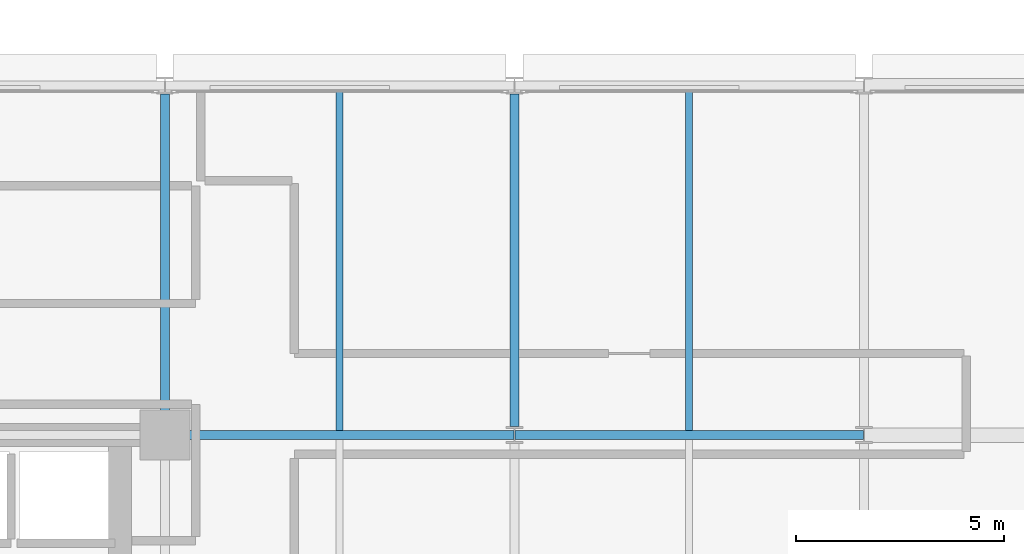
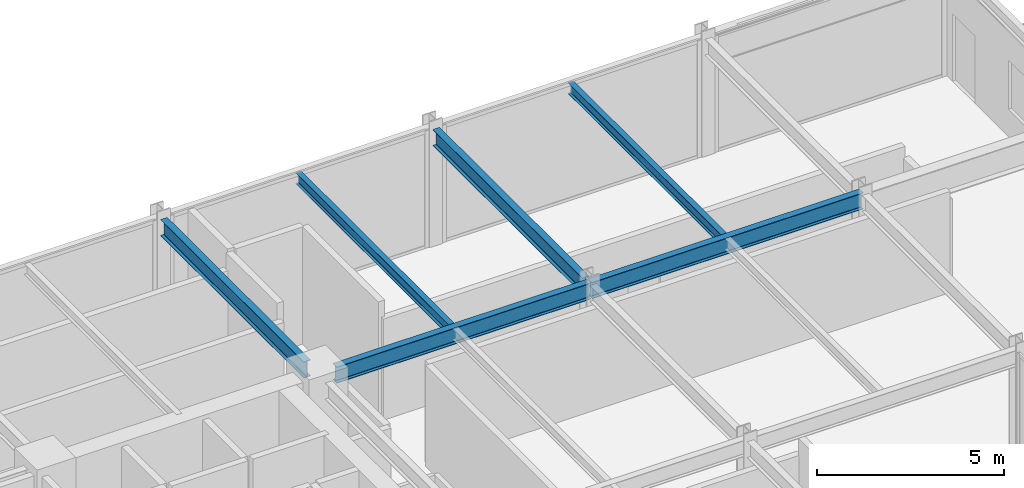
# One storey, part 19 of 39: 6 beams.
"""IFC4 building model written with IfcOpenShell, lengths in metres."""

import ifcopenshell
import ifcopenshell.guid

model = None  # the IFC model being written
_history = None  # IfcOwnerHistory: only IFC2X3 demands one
_inside = {}  # id of a spatial element -> (the spatial element, [elements in it])
_under = {}  # id of a project, library or spatial element -> (it, [spatial elements below it])
_declared = {}  # id of a project -> (the project, [libraries it declares])
_typed = {}  # id of a type object -> (the type object, [elements of that type])
_made_of = {}  # id of a material, layer set ... -> (it, [elements and type objects made of it])


def new_model(schema):
    """Start an empty IFC model of exactly this schema.

    Asked for "IFC4X3", IfcOpenShell would pick the latest addendum, in which some entities
    have other attributes; the version numbers below select the first issue.
    IFC2X3 requires an IfcOwnerHistory on every rooted entity: one is made here for all.
    """
    global model, _history
    if schema == "IFC4X3":
        model = ifcopenshell.file(schema_version=(4, 3, 0, 0))
    else:
        model = ifcopenshell.file(schema=schema)
    _inside.clear()
    _under.clear()
    _declared.clear()
    _typed.clear()
    _made_of.clear()
    _history = None
    if model.schema == "IFC2X3":
        org = make("IfcOrganization", Name="unknown")
        user = make(
            "IfcPersonAndOrganization",
            ThePerson=make("IfcPerson", FamilyName="unknown"),
            TheOrganization=org,
        )
        app = make(
            "IfcApplication",
            ApplicationDeveloper=org,
            Version="unknown",
            ApplicationFullName="unknown",
            ApplicationIdentifier="unknown",
        )
        _history = make(
            "IfcOwnerHistory",
            OwningUser=user,
            OwningApplication=app,
            ChangeAction="ADDED",
            CreationDate=0,
        )
    return model


def make(cls, **values):
    """One entity of the class cls with the attributes given. An attribute that is None is left unset."""
    return model.create_entity(
        cls, **{name: value for name, value in values.items() if value is not None}
    )


def rooted(cls, **values):
    """An entity with a GlobalId (a new one), such as an element, a storey or a relation."""
    return make(cls, GlobalId=ifcopenshell.guid.new(), OwnerHistory=_history, **values)


def si_unit(unit_type, name, prefix=None):
    """IfcSIUnit, for example si_unit("LENGTHUNIT", "METRE", prefix="MILLI")."""
    return make("IfcSIUnit", UnitType=unit_type, Prefix=prefix, Name=name)


def assignment(units):
    """IfcUnitAssignment: the units of a project."""
    return None if units is None else make("IfcUnitAssignment", Units=units)


def point(xyz):
    """IfcCartesianPoint."""
    return None if xyz is None else make("IfcCartesianPoint", Coordinates=xyz)


def direction(xyz):
    """IfcDirection."""
    return None if xyz is None else make("IfcDirection", DirectionRatios=xyz)


def frame(location, z_axis=None, x_axis=None):
    """IfcAxis2Placement3D, a coordinate frame: its origin and axes. An axis left out is left unset."""
    return make(
        "IfcAxis2Placement3D",
        Location=point(location),
        Axis=direction(z_axis),
        RefDirection=direction(x_axis),
    )


def frame_2d(location, x_axis=None):
    """IfcAxis2Placement2D, a coordinate frame in the plane: its origin and x axis."""
    return make(
        "IfcAxis2Placement2D", Location=point(location), RefDirection=direction(x_axis)
    )


def origin():
    """The frame at (0, 0, 0) with its axes left unset."""
    return frame((0.0, 0.0, 0.0))


def origin_2d():
    """The frame at (0, 0) in the plane with its x axis left unset."""
    return frame_2d((0.0, 0.0))


def place(relative_to, where):
    """IfcLocalPlacement: puts the frame where relative to a parent placement (None: the world)."""
    return make(
        "IfcLocalPlacement", PlacementRelTo=relative_to, RelativePlacement=where
    )


def context(
    kind, dimensions, precision=None, world=None, true_north=None, identifier=None
):
    """IfcGeometricRepresentationContext, for example the 3D "Model" context."""
    return make(
        "IfcGeometricRepresentationContext",
        ContextIdentifier=identifier,
        ContextType=kind,
        CoordinateSpaceDimension=dimensions,
        Precision=precision,
        WorldCoordinateSystem=world,
        TrueNorth=true_north,
    )


def subcontext(parent, identifier, kind, view, scale=None):
    """IfcGeometricRepresentationSubContext, for example "Body" below "Model"."""
    return make(
        "IfcGeometricRepresentationSubContext",
        ContextIdentifier=identifier,
        ContextType=kind,
        ParentContext=parent,
        TargetScale=scale,
        TargetView=view,
    )


def project(units=None, contexts=None):
    """IfcProject with its units and contexts."""
    return rooted(
        "IfcProject",
        Name="project",
        RepresentationContexts=contexts,
        UnitsInContext=assignment(units),
    )


def spatial(cls, under=None, at=None, **own):
    """A site, building, storey or space (cls), placed at a placement, below another one or the project."""
    s = rooted(cls, ObjectPlacement=at, **own)
    if under is not None:
        _under.setdefault(under.id(), (under, []))[1].append(s)
    return s


def profile(cls, at=None, kind="AREA", **sizes):
    """A parametric profile (cls). Its sizes go by their IFC names, for example OverallWidth=200.0."""
    return make(cls, ProfileType=kind, Position=at, **sizes)


def i_section(**sizes):
    """IfcIShapeProfileDef."""
    return profile("IfcIShapeProfileDef", **sizes)


def extrude(swept, where, along, depth):
    """IfcExtrudedAreaSolid: the profile swept, set in the frame where, extruded along a direction by depth."""
    return make(
        "IfcExtrudedAreaSolid",
        SweptArea=swept,
        Position=where,
        ExtrudedDirection=direction(along),
        Depth=depth,
    )


def shape(context_of_items, identifier, shape_type, items):
    """IfcShapeRepresentation: the items that make up one representation, for example the "Body"."""
    return make(
        "IfcShapeRepresentation",
        ContextOfItems=context_of_items,
        RepresentationIdentifier=identifier,
        RepresentationType=shape_type,
        Items=items,
    )


def material(Name=None, Category=None):
    """IfcMaterial."""
    return make("IfcMaterial", Name=Name, Category=Category)


def material_profile(
    of_material, cross_section, Name=None, Category=None, Priority=None
):
    """IfcMaterialProfile: a cross section and its material."""
    return make(
        "IfcMaterialProfile",
        Name=Name,
        Material=of_material,
        Profile=cross_section,
        Priority=Priority,
        Category=Category,
    )


def profile_set(profiles, Name=None, composite=None):
    """IfcMaterialProfileSet."""
    return make(
        "IfcMaterialProfileSet",
        Name=Name,
        MaterialProfiles=profiles,
        CompositeProfile=composite,
    )


def made_of(thing, what):
    """Note that an element or type object is made of a material, layer set ...; save() writes the relation."""
    if what is not None:
        _made_of.setdefault(what.id(), (what, []))[1].append(thing)
    return thing


def type_object(cls, material=None, **own):
    """A type object (cls), such as IfcWallType, which elements share."""
    return made_of(rooted(cls, **own), material)


def element(
    cls,
    number,
    at=None,
    inside=None,
    cuts=None,
    type_object=None,
    material=None,
    context=None,
    identifier="Body",
    shape_type=None,
    held_by="IfcProductDefinitionShape",
    body=None,
    shapes=None,
    **own,
):
    """One element of the class cls, such as IfcWall. Its Tag is "e" and its number.

    at: its placement. inside: the storey or other place that contains it. cuts: it is an
    opening in that element (IfcRelVoidsElement). A single representation is given by context,
    identifier, shape_type and body (its items); several are given by shapes. held_by: the class
    of the entity that holds the representations. save() writes the other relations.
    """
    e = rooted(cls, Tag="e%d" % number, ObjectPlacement=at, **own)
    if body is not None:
        shapes = [shape(context, identifier, shape_type, body)]
    if shapes is not None:
        e.Representation = make(held_by, Representations=shapes)
    if inside is not None:
        _inside.setdefault(inside.id(), (inside, []))[1].append(e)
    if cuts is not None:
        rooted(
            "IfcRelVoidsElement", RelatingBuildingElement=cuts, RelatedOpeningElement=e
        )
    if type_object is not None:
        _typed.setdefault(type_object.id(), (type_object, []))[1].append(e)
    return made_of(e, material)


def aggregate(whole, parts):
    """IfcRelAggregates: a whole, such as a stair, and the parts it consists of."""
    return rooted("IfcRelAggregates", RelatingObject=whole, RelatedObjects=parts)


def save(model, path):
    """Write the relations noted so far, then the file.

    IfcRelAggregates (storeys below a building ...), IfcRelContainedInSpatialStructure (elements
    in a storey), IfcRelDefinesByType, IfcRelAssociatesMaterial and IfcRelDeclares: one each for
    every whole, place, type object, material and project.
    """
    for whole, parts in _under.values():
        aggregate(whole, parts)
    for where, things in _inside.values():
        rooted(
            "IfcRelContainedInSpatialStructure",
            RelatedElements=things,
            RelatingStructure=where,
        )
    for kind, things in _typed.values():
        rooted("IfcRelDefinesByType", RelatedObjects=things, RelatingType=kind)
    for what, things in _made_of.values():
        rooted("IfcRelAssociatesMaterial", RelatedObjects=things, RelatingMaterial=what)
    for by, libraries in _declared.values():
        rooted("IfcRelDeclares", RelatingContext=by, RelatedDefinitions=libraries)
    model.write(path)


model = new_model("IFC4")

# Units and contexts
model_context = context("Model", 3, precision=1e-05, world=origin(), true_north=direction((0.0, 1.0)))
body_context = subcontext(model_context, "Body", "Model", "MODEL_VIEW")
ifc_project = project(units=[si_unit("LENGTHUNIT", "METRE"), si_unit("AREAUNIT", "SQUARE_METRE"), si_unit("VOLUMEUNIT", "CUBIC_METRE"), si_unit("PLANEANGLEUNIT", "RADIAN"), si_unit("MASSUNIT", "GRAM", prefix="KILO")], contexts=[model_context])

# Site, building, storey
site_placement = place(None, origin())
site = spatial("IfcSite", under=ifc_project, at=site_placement, CompositionType="ELEMENT")
building_placement = place(site_placement, origin())
building = spatial("IfcBuilding", under=site, at=building_placement, Name="Nerrivon Quay Data Exchange", CompositionType="ELEMENT")
storey_placement = place(building_placement, frame((0.0, 0.0, 104.89990234375)))
storey = spatial("IfcBuildingStorey", under=building, at=storey_placement, Name="L24", CompositionType="ELEMENT", Elevation=104.89990234375)

# Beams
ifc_material = material(Name="Steel Grade 350", Category="steel")
ifc_material_profile_1 = material_profile(ifc_material, i_section(OverallWidth=0.208984375, OverallDepth=0.532958984375, WebThickness=0.01025390625, FlangeThickness=0.015625, FilletRadius=0.013916015625, at=origin_2d()), Name="530UB92.4")
ifc_profile_set_1 = profile_set([ifc_material_profile_1], Name="Steel Grade 350")
beam_type_1 = type_object("IfcBeamType", Name="BM-G3-530UB92", PredefinedType="BEAM", material=ifc_profile_set_1)
beam_1_placement = place(storey_placement, frame((34.139892578125, 16.800048828125, 3.55859375), z_axis=(1.0, 0.0, 0.0), x_axis=(0.0, 1.0, 0.0)))
element("IfcBeam", 1, at=beam_1_placement, inside=storey, type_object=beam_type_1, Name="L24 EW Girder Y=16.8 (33.6..42.0)", PredefinedType="BEAM", context=body_context, shape_type="SweptSolid", body=[
    extrude(i_section(OverallWidth=0.208984375, OverallDepth=0.532958984375, WebThickness=0.01025390625, FlangeThickness=0.015625, FilletRadius=0.013916015625, at=origin_2d()), origin(), (0.0, 0.0, 1.0), 7.84765625),
])
beam_2_placement = place(storey_placement, frame((42.012451171875, 16.800048828125, 3.55859375), z_axis=(1.0, 0.0, 0.0), x_axis=(0.0, 1.0, 0.0)))
element("IfcBeam", 2, at=beam_2_placement, inside=storey, type_object=beam_type_1, Name="L24 EW Girder Y=16.8 (42.0..50.4)", PredefinedType="BEAM", context=body_context, shape_type="SweptSolid", body=[
    extrude(i_section(OverallWidth=0.208984375, OverallDepth=0.532958984375, WebThickness=0.01025390625, FlangeThickness=0.015625, FilletRadius=0.013916015625, at=origin_2d()), origin(), (0.0, 0.0, 1.0), 8.375),
])
ifc_material_profile_2 = material_profile(ifc_material, i_section(OverallWidth=0.208984375, OverallDepth=0.528076171875, WebThickness=0.009521484375, FlangeThickness=0.01318359375, FilletRadius=0.013916015625, at=origin_2d()), Name="530UB82.0")
ifc_profile_set_2 = profile_set([ifc_material_profile_2], Name="Steel Grade 350")
beam_type_2 = type_object("IfcBeamType", Name="BM-G4-530UB82", PredefinedType="BEAM", material=ifc_profile_set_2)
beam_3_placement = place(storey_placement, frame((33.60009765625, 17.340087890625, 3.56103515625), z_axis=(0.0, 1.0, 0.0), x_axis=(-1.0, 0.0, 0.0)))
element("IfcBeam", 3, at=beam_3_placement, inside=storey, type_object=beam_type_2, Name="L24 NS Girder X=33.6 (16.8..25.2)", PredefinedType="BEAM", context=body_context, shape_type="SweptSolid", body=[
    extrude(i_section(OverallWidth=0.208984375, OverallDepth=0.528076171875, WebThickness=0.009521484375, FlangeThickness=0.01318359375, FilletRadius=0.013916015625, at=origin_2d()), origin(), (0.0, 0.0, 1.0), 7.659912109375),
])
beam_4_placement = place(storey_placement, frame((42.0, 17.0, 3.56103515625), z_axis=(0.0, 1.0, 0.0), x_axis=(-1.0, 0.0, 0.0)))
element("IfcBeam", 4, at=beam_4_placement, inside=storey, type_object=beam_type_2, Name="L24 NS Girder X=42.0 (16.8..25.2)", PredefinedType="BEAM", context=body_context, shape_type="SweptSolid", body=[
    extrude(i_section(OverallWidth=0.208984375, OverallDepth=0.528076171875, WebThickness=0.009521484375, FlangeThickness=0.01318359375, FilletRadius=0.013916015625, at=origin_2d()), origin(), (0.0, 0.0, 1.0), 8.0),
])
ifc_material_profile_3 = material_profile(ifc_material, i_section(OverallWidth=0.1708984375, OverallDepth=0.35595703125, WebThickness=0.00732421875, FlangeThickness=0.011474609375, FilletRadius=0.011474609375, at=origin_2d()), Name="360UB50.7")
ifc_profile_set_3 = profile_set([ifc_material_profile_3], Name="Steel Grade 350")
beam_type_3 = type_object("IfcBeamType", Name="BM-J4-360UB51", PredefinedType="JOIST", material=ifc_profile_set_3)
for number, where, z_axis, x_axis, name in (
    (5, (37.800048828125, 16.904541015625, 3.647216796875), (0.0, 1.0, 0.0), (-1.0, 0.0, 0.0), "L24 Secondary Joist X=37.8 (16.8..25.2)"),
    (6, (46.199951171875, 16.904541015625, 3.647216796875), (0.0, 1.0, 0.0), (-1.0, 0.0, 0.0), "L24 Secondary Joist X=46.2 (16.8..25.2)"),
):
    element("IfcBeam", number, at=place(storey_placement, frame(where, z_axis=z_axis, x_axis=x_axis)), inside=storey, type_object=beam_type_3, Name=name, PredefinedType="JOIST", context=body_context, shape_type="SweptSolid", body=[
        extrude(i_section(OverallWidth=0.1708984375, OverallDepth=0.35595703125, WebThickness=0.00732421875, FlangeThickness=0.011474609375, FilletRadius=0.011474609375, at=origin_2d()), origin(), (0.0, 0.0, 1.0), 8.19091796875),
    ])

save(model, "model.ifc")
